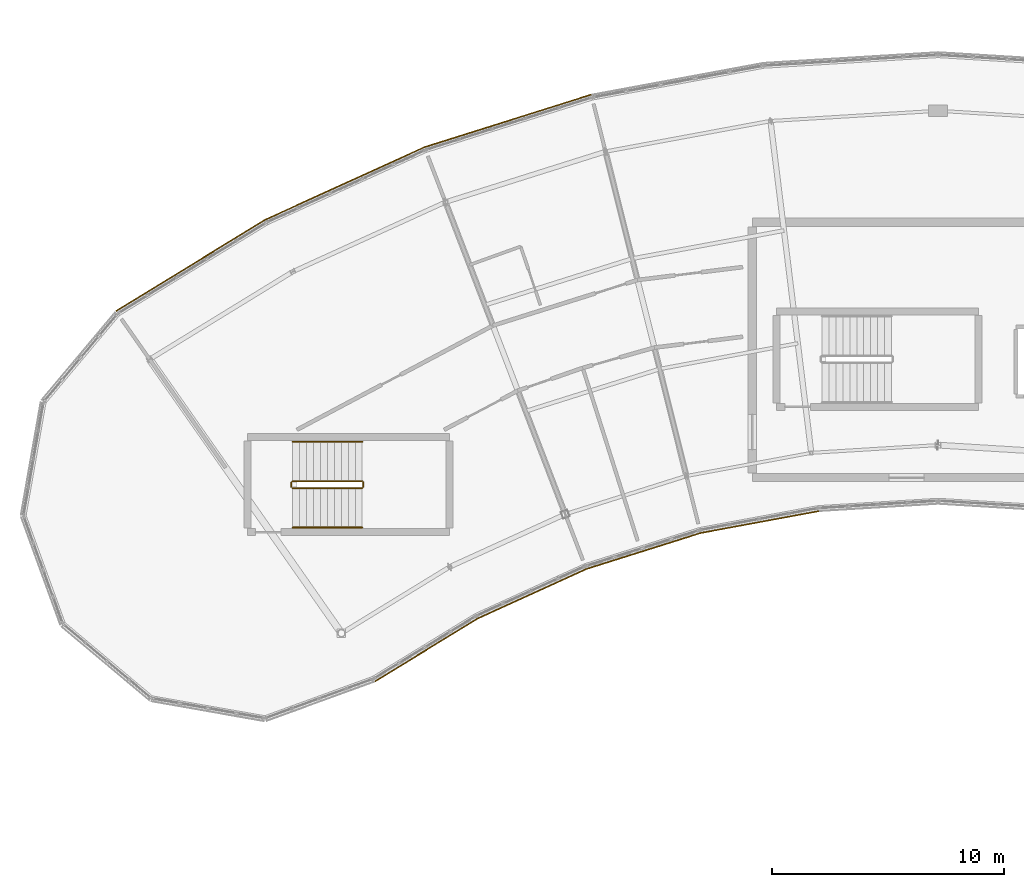
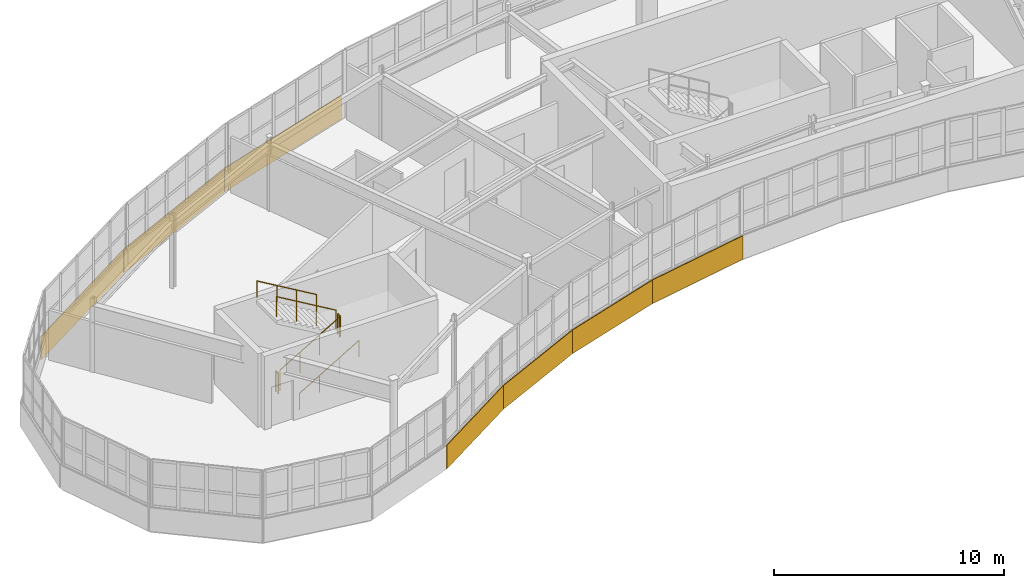
# One storey, part 76 of 79: 7 coverings, 6 railings.
"""IFC4 building model written with IfcOpenShell, lengths in metres."""

from ifc_helpers import new_model, si_unit, direction, frame, origin, origin_2d, place, context, subcontext, project, spatial, rectangle, circle, extrude, material, layer, layer_set, type_object, element, save


model = new_model("IFC4")

# Units and contexts
model_context = context("Model", 3, precision=1e-05, world=origin(), true_north=direction((0.0, 1.0)))
body_context = subcontext(model_context, "Body", "Model", "MODEL_VIEW")
ifc_project = project(units=[si_unit("LENGTHUNIT", "METRE"), si_unit("AREAUNIT", "SQUARE_METRE"), si_unit("VOLUMEUNIT", "CUBIC_METRE"), si_unit("PLANEANGLEUNIT", "RADIAN"), si_unit("MASSUNIT", "GRAM", prefix="KILO")], contexts=[model_context])

# Site, building, storey
site_placement = place(None, origin())
site = spatial("IfcSite", under=ifc_project, at=site_placement, CompositionType="ELEMENT")
building_placement = place(site_placement, origin())
building = spatial("IfcBuilding", under=site, at=building_placement, Name="Tarnwether General Hospital", CompositionType="ELEMENT")
storey_placement = place(building_placement, frame((0.0, 0.0, 18.300048828125)))
storey = spatial("IfcBuildingStorey", under=building, at=storey_placement, Name="L04", CompositionType="ELEMENT", Elevation=18.300048828125)

# Coverings
ifc_material_1 = material(Name="Streamlined white enamelled aluminium", Category="aluminium")
ifc_layer = layer(ifc_material_1, 0.044921875)
ifc_layer_set = layer_set([ifc_layer], Name="Streamlined white enamelled aluminium")
covering_type = type_object("IfcCoveringType", Name="CV-CLD-WHT", PredefinedType="CLADDING", material=ifc_layer_set)
for number, where, z_axis, x_axis, name in (
    (1, (69.9560546875, 98.971923828125, -0.175048828125), (0.0, 0.0, 1.0), (-0.852631044904, -0.522513446015, 0.0), "Streamlined White Horizontal Band NW L04 06"),
    (2, (74.50390625, 101.389892578125, -0.175048828125), (0.0, 0.0, 1.0), (-0.909954032975, -0.414709124413, 0.0), "Streamlined White Horizontal Band NW L04 07"),
):
    element("IfcCovering", number, at=place(storey_placement, frame(where, z_axis=z_axis, x_axis=x_axis)), inside=storey, type_object=covering_type, Name=name, PredefinedType="CLADDING", context=body_context, shape_type="SweptSolid", body=[
        extrude(rectangle(XDim=5.177001953125, YDim=0.044921875, at=origin_2d()), origin(), (0.0, 0.0, 1.0), 1.25),
    ])
covering_1_placement = place(storey_placement, frame((79.31396484375, 103.237060546875, -0.175048828125), z_axis=(0.0, 0.0, 1.0), x_axis=(-0.953711702297, -0.300722444959, 0.0)))
element("IfcCovering", 3, at=covering_1_placement, inside=storey, type_object=covering_type, Name="Streamlined White Horizontal Band NW L04 08", PredefinedType="CLADDING", context=body_context, shape_type="SweptSolid", body=[
    extrude(rectangle(XDim=5.177978515625, YDim=0.044921875, at=origin_2d()), origin(), (0.0, 0.0, 1.0), 1.25),
])
covering_2_placement = place(storey_placement, frame((84.31201171875, 104.48291015625, -0.175048828125), z_axis=(0.0, 0.0, 1.0), x_axis=(-0.983267627608, -0.182166880906, 0.0)))
element("IfcCovering", 4, at=covering_2_placement, inside=storey, type_object=covering_type, Name="Streamlined White Horizontal Band NW L04 09", PredefinedType="CLADDING", context=body_context, shape_type="SweptSolid", body=[
    extrude(rectangle(XDim=5.177001953125, YDim=0.044921875, at=origin_2d()), origin(), (0.0, 0.0, 1.0), 1.25),
])
for number, where, z_axis, x_axis, name in (
    (5, (73.471923828125, 121.764892578125, -0.175048828125), (0.0, 0.0, 1.0), (0.953743188648, 0.300622570855, 0.0), "Streamlined White Horizontal Band NW L04 29"),
    (6, (66.447998046875, 119.070068359375, -0.175048828125), (0.0, 0.0, 1.0), (0.909961270877, 0.414693242656, 0.0), "Streamlined White Horizontal Band NW L04 30"),
    (7, (59.805908203125, 115.5380859375, -0.175048828125), (0.0, 0.0, 1.0), (0.852631044904, 0.522513446015, 0.0), "Streamlined White Horizontal Band NW L04 31"),
):
    element("IfcCovering", number, at=place(storey_placement, frame(where, z_axis=z_axis, x_axis=x_axis)), inside=storey, type_object=covering_type, Name=name, PredefinedType="CLADDING", context=body_context, shape_type="SweptSolid", body=[
        extrude(rectangle(XDim=7.52099609375, YDim=0.044921875, at=origin_2d()), origin(), (0.0, 0.0, 1.0), 1.25),
    ])

# Railings
ifc_material_2 = material(Name="Anodised aluminium", Category="aluminium")
railing_type_1 = type_object("IfcRailingType", Name="RL-GRD-INT", PredefinedType="GUARDRAIL", material=ifc_material_2)
railing_1_placement = place(storey_placement, frame((64.199951171875, 105.949951171875, 0.17724609375)))
element("IfcRailing", 8, at=railing_1_placement, inside=storey, type_object=railing_type_1, Name="L04 ST-07 stair guard 1", PredefinedType="GUARDRAIL", context=body_context, shape_type="SweptSolid", body=[
    extrude(circle(Radius=0.02392578125, at=origin_2d()), frame((0.0, 0.0, 1.076171875), z_axis=(0.86092931783, 0.0, 0.508724591208), x_axis=(0.0, 1.0, 0.0)), (0.0, 0.0, 1.0), 3.484619140625),
    extrude(circle(Radius=0.02099609375, at=origin_2d()), origin(), (0.0, 0.0, 1.0), 1.052001953125),
    extrude(circle(Radius=0.02099609375, at=origin_2d()), frame((1.0, 0.0, 0.5908203125)), (0.0, 0.0, 1.0), 1.052001953125),
    extrude(circle(Radius=0.02099609375, at=origin_2d()), frame((2.0, 0.0, 1.181884765625)), (0.0, 0.0, 1.0), 1.052001953125),
    extrude(circle(Radius=0.02099609375, at=origin_2d()), frame((3.0, 0.0, 1.772705078125)), (0.0, 0.0, 1.0), 1.052001953125),
])
railing_2_placement = place(storey_placement, frame((67.25, 106.0, 1.949951171875)))
element("IfcRailing", 9, at=railing_2_placement, inside=storey, type_object=railing_type_1, Name="L04 ST-07 stair guard 2", PredefinedType="GUARDRAIL", context=body_context, shape_type="SweptSolid", body=[
    extrude(circle(Radius=0.02392578125, at=origin_2d()), frame((0.0, 0.0, 1.076171875), z_axis=(0.0, 1.0, 0.0), x_axis=(-1.0, 0.0, 0.0)), (0.0, 0.0, 1.0), 0.199951171875),
    extrude(circle(Radius=0.02099609375, at=origin_2d()), origin(), (0.0, 0.0, 1.0), 1.052001953125),
    extrude(circle(Radius=0.02099609375, at=origin_2d()), frame((0.0, 0.199951171875, 0.0)), (0.0, 0.0, 1.0), 1.052001953125),
])
railing_3_placement = place(storey_placement, frame((67.199951171875, 106.25, 2.127197265625)))
element("IfcRailing", 10, at=railing_3_placement, inside=storey, type_object=railing_type_1, Name="L04 ST-07 stair guard 3", PredefinedType="GUARDRAIL", context=body_context, shape_type="SweptSolid", body=[
    extrude(circle(Radius=0.02392578125, at=origin_2d()), frame((0.0, 0.0, 1.076171875), z_axis=(-0.86092931783, 0.0, 0.508724591208), x_axis=(0.0, -1.0, 0.0)), (0.0, 0.0, 1.0), 3.484619140625),
    extrude(circle(Radius=0.02099609375, at=origin_2d()), origin(), (0.0, 0.0, 1.0), 1.052001953125),
    extrude(circle(Radius=0.02099609375, at=origin_2d()), frame((-1.0, 0.0, 0.5908203125)), (0.0, 0.0, 1.0), 1.052001953125),
    extrude(circle(Radius=0.02099609375, at=origin_2d()), frame((-2.0, 0.0, 1.181884765625)), (0.0, 0.0, 1.0), 1.052001953125),
    extrude(circle(Radius=0.02099609375, at=origin_2d()), frame((-3.0, 0.0, 1.772705078125)), (0.0, 0.0, 1.0), 1.052001953125),
])
railing_4_placement = place(storey_placement, frame((64.14990234375, 106.0, 0.0)))
element("IfcRailing", 11, at=railing_4_placement, inside=storey, type_object=railing_type_1, Name="L04 ST-07 stair guard 4", PredefinedType="GUARDRAIL", context=body_context, shape_type="SweptSolid", body=[
    extrude(circle(Radius=0.02392578125, at=origin_2d()), frame((0.0, 0.0, 1.076171875), z_axis=(0.0, 1.0, 0.0), x_axis=(-1.0, 0.0, 0.0)), (0.0, 0.0, 1.0), 0.199951171875),
    extrude(circle(Radius=0.02099609375, at=origin_2d()), origin(), (0.0, 0.0, 1.0), 1.052001953125),
    extrude(circle(Radius=0.02099609375, at=origin_2d()), frame((0.0, 0.199951171875, 0.0)), (0.0, 0.0, 1.0), 1.052001953125),
])
ifc_material_3 = material(Name="Anodised aluminium", Category="aluminium")
railing_type_2 = type_object("IfcRailingType", Name="RL-HND-INT", PredefinedType="HANDRAIL", material=ifc_material_3)
railing_5_placement = place(storey_placement, frame((64.199951171875, 104.25, 0.17724609375)))
element("IfcRailing", 12, at=railing_5_placement, inside=storey, type_object=railing_type_2, Name="L04 ST-07 stair handrail 1", PredefinedType="HANDRAIL", context=body_context, shape_type="SweptSolid", body=[
    extrude(circle(Radius=0.02392578125, at=origin_2d()), frame((0.0, 0.0, 0.8759765625), z_axis=(0.86092931783, 0.0, 0.508724591208), x_axis=(0.0, 1.0, 0.0)), (0.0, 0.0, 1.0), 3.484619140625),
    extrude(circle(Radius=0.02099609375, at=origin_2d()), origin(), (0.0, 0.0, 1.0), 0.851806640625),
    extrude(circle(Radius=0.02099609375, at=origin_2d()), frame((1.0, 0.0, 0.5908203125)), (0.0, 0.0, 1.0), 0.851806640625),
    extrude(circle(Radius=0.02099609375, at=origin_2d()), frame((2.0, 0.0, 1.181884765625)), (0.0, 0.0, 1.0), 0.851806640625),
    extrude(circle(Radius=0.02099609375, at=origin_2d()), frame((3.0, 0.0, 1.772705078125)), (0.0, 0.0, 1.0), 0.851806640625),
])
railing_6_placement = place(storey_placement, frame((67.199951171875, 107.949951171875, 2.127197265625)))
element("IfcRailing", 13, at=railing_6_placement, inside=storey, type_object=railing_type_2, Name="L04 ST-07 stair handrail 2", PredefinedType="HANDRAIL", context=body_context, shape_type="SweptSolid", body=[
    extrude(circle(Radius=0.02392578125, at=origin_2d()), frame((0.0, 0.0, 0.8759765625), z_axis=(-0.86092931783, 0.0, 0.508724591208), x_axis=(0.0, -1.0, 0.0)), (0.0, 0.0, 1.0), 3.484619140625),
    extrude(circle(Radius=0.02099609375, at=origin_2d()), origin(), (0.0, 0.0, 1.0), 0.851806640625),
    extrude(circle(Radius=0.02099609375, at=origin_2d()), frame((-1.0, 0.0, 0.5908203125)), (0.0, 0.0, 1.0), 0.851806640625),
    extrude(circle(Radius=0.02099609375, at=origin_2d()), frame((-2.0, 0.0, 1.181884765625)), (0.0, 0.0, 1.0), 0.851806640625),
    extrude(circle(Radius=0.02099609375, at=origin_2d()), frame((-3.0, 0.0, 1.772705078125)), (0.0, 0.0, 1.0), 0.851806640625),
])

save(model, "model.ifc")
